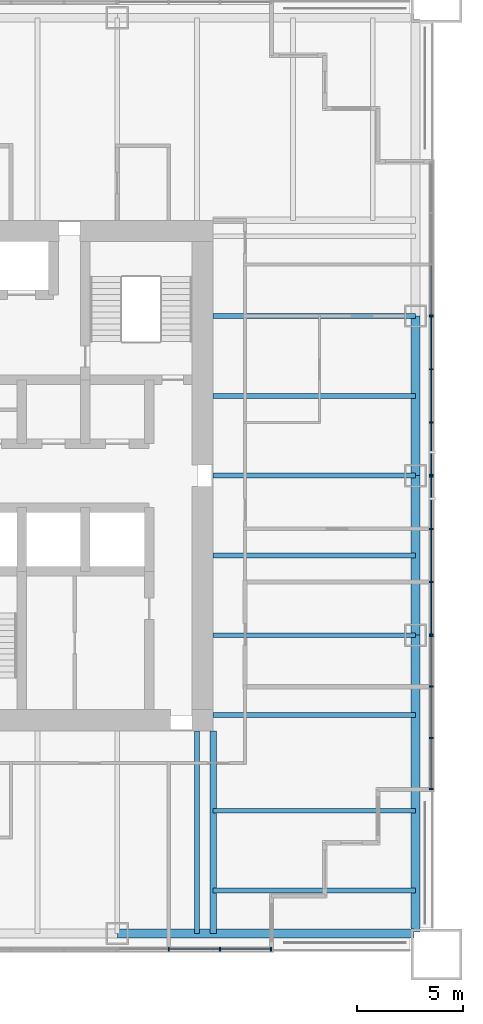
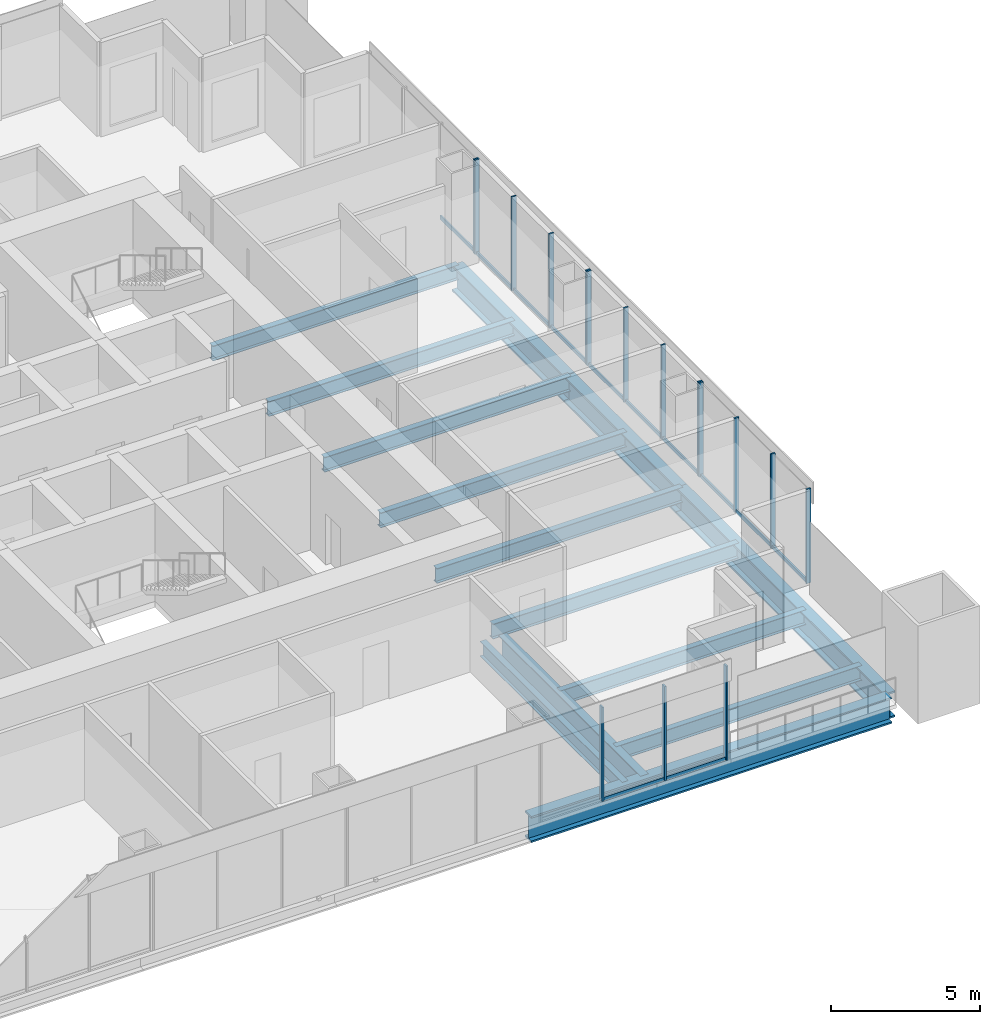
# One storey, part 4 of 13: 28 members, 14 beams, 5 elements without a shape of their own.
"""IFC4 building model written with IfcOpenShell, lengths in metres."""

from ifc_helpers import new_model, si_unit, direction, frame, origin, origin_2d, place, context, subcontext, project, spatial, rectangle, i_section, extrude, material, material_profile, profile_set, type_object, element, aggregate, save


model = new_model("IFC4")

# Units and contexts
model_context = context("Model", 3, precision=1e-05, world=origin(), true_north=direction((0.0, 1.0)))
body_context = subcontext(model_context, "Body", "Model", "MODEL_VIEW")
ifc_project = project(units=[si_unit("LENGTHUNIT", "METRE"), si_unit("AREAUNIT", "SQUARE_METRE"), si_unit("VOLUMEUNIT", "CUBIC_METRE"), si_unit("PLANEANGLEUNIT", "RADIAN"), si_unit("MASSUNIT", "GRAM", prefix="KILO")], contexts=[model_context])

# Site, building, storey
site_placement = place(None, origin())
site = spatial("IfcSite", under=ifc_project, at=site_placement, CompositionType="ELEMENT")
building_placement = place(site_placement, origin())
building = spatial("IfcBuilding", under=site, at=building_placement, Name="Tarangal Relay Tower", CompositionType="ELEMENT")
storey_placement = place(building_placement, frame((0.0, 0.0, 197.89990234375)))
storey = spatial("IfcBuildingStorey", under=building, at=storey_placement, Name="L41", CompositionType="ELEMENT", Elevation=197.89990234375)

# Beams
ifc_material_1 = material(Name="Steel ASTM A992", Category="steel")
ifc_material_profile_1 = material_profile(ifc_material_1, i_section(OverallWidth=0.227783203125, OverallDepth=0.60205078125, WebThickness=0.010498046875, FlangeThickness=0.014892578125, at=origin_2d()), Name="W24X68")
ifc_profile_set_1 = profile_set([ifc_material_profile_1], Name="Steel ASTM A992")
beam_type_1 = type_object("IfcBeamType", Name="Corner beam W24X68", PredefinedType="JOIST", material=ifc_profile_set_1)
for number, where, z_axis, x_axis, name in (
    (1, (12.0, -15.75, -0.450927734375), (1.0, 0.0, 0.0), (0.0, 1.0, 0.0), "Corner beam CB11 E L41"),
    (2, (12.0, -19.5, -0.450927734375), (1.0, 0.0, 0.0), (0.0, 1.0, 0.0), "Corner beam CB11 E L41"),
):
    element("IfcBeam", number, at=place(storey_placement, frame(where, z_axis=z_axis, x_axis=x_axis)), inside=storey, type_object=beam_type_1, Name=name, PredefinedType="JOIST", context=body_context, shape_type="SweptSolid", body=[
        extrude(i_section(OverallWidth=0.227783203125, OverallDepth=0.60205078125, WebThickness=0.010498046875, FlangeThickness=0.014892578125, at=origin_2d()), origin(), (0.0, 0.0, 1.0), 9.514892578125),
    ])
ifc_material_profile_2 = material_profile(ifc_material_1, i_section(OverallWidth=0.307373046875, OverallDepth=0.9423828125, WebThickness=0.022216796875, FlangeThickness=0.039794921875, at=origin_2d()), Name="W36X232")
ifc_profile_set_2 = profile_set([ifc_material_profile_2], Name="Steel ASTM A992")
beam_type_2 = type_object("IfcBeamType", Name="Corner girder W36X232", PredefinedType="BEAM", material=ifc_profile_set_2)
beam_placement = place(storey_placement, frame((12.0, -12.0, -0.62109375), z_axis=(0.0, -1.0, 0.0), x_axis=(1.0, 0.0, 0.0)))
element("IfcBeam", 3, at=beam_placement, inside=storey, type_object=beam_type_2, Name="Corner girder CG4 E L41", PredefinedType="BEAM", context=body_context, shape_type="SweptSolid", body=[
    extrude(i_section(OverallWidth=0.307373046875, OverallDepth=0.9423828125, WebThickness=0.022216796875, FlangeThickness=0.039794921875, at=origin_2d()), origin(), (0.0, 0.0, 1.0), 9.514892578125),
])
ifc_material_profile_3 = material_profile(ifc_material_1, i_section(OverallWidth=0.41650390625, OverallDepth=1.0693359375, WebThickness=0.0390625, FlangeThickness=0.070068359375, at=origin_2d()), Name="W40X503")
ifc_profile_set_3 = profile_set([ifc_material_profile_3], Name="Steel ASTM A992")
beam_type_3 = type_object("IfcBeamType", Name="Edge girder W40X503", PredefinedType="SPANDREL", material=ifc_profile_set_3)
for number, where, z_axis, x_axis, name in (
    (4, (21.514892578125, 7.5, -0.6845703125), (0.0, -1.0, 0.0), (1.0, 0.0, 0.0), "Edge girder EG8 E L41"),
    (5, (21.514892578125, 0.0, -0.6845703125), (0.0, -1.0, 0.0), (1.0, 0.0, 0.0), "Edge girder EG8 E L41"),
):
    element("IfcBeam", number, at=place(storey_placement, frame(where, z_axis=z_axis, x_axis=x_axis)), inside=storey, type_object=beam_type_3, Name=name, PredefinedType="SPANDREL", context=body_context, shape_type="SweptSolid", body=[
        extrude(i_section(OverallWidth=0.41650390625, OverallDepth=1.0693359375, WebThickness=0.0390625, FlangeThickness=0.070068359375, at=origin_2d()), origin(), (0.0, 0.0, 1.0), 7.5),
    ])
for number, where, z_axis, x_axis, name in (
    (6, (21.514892578125, -7.5, -0.6845703125), (0.0, -1.0, 0.0), (1.0, 0.0, 0.0), "Edge girder EG8 E L41"),
    (7, (21.449951171875, -21.514892578125, -0.6845703125), (-1.0, 0.0, 0.0), (0.0, -1.0, 0.0), "Edge girder EG8 S L41"),
):
    element("IfcBeam", number, at=place(storey_placement, frame(where, z_axis=z_axis, x_axis=x_axis)), inside=storey, type_object=beam_type_3, Name=name, PredefinedType="SPANDREL", context=body_context, shape_type="SweptSolid", body=[
        extrude(i_section(OverallWidth=0.41650390625, OverallDepth=1.0693359375, WebThickness=0.0390625, FlangeThickness=0.070068359375, at=origin_2d()), origin(), (0.0, 0.0, 1.0), 13.949951171875),
    ])
ifc_material_profile_4 = material_profile(ifc_material_1, i_section(OverallWidth=0.22900390625, OverallDepth=0.612060546875, WebThickness=0.011962890625, FlangeThickness=0.01953125, at=origin_2d()), Name="W24X84")
ifc_profile_set_4 = profile_set([ifc_material_profile_4], Name="Steel ASTM A992")
beam_type_4 = type_object("IfcBeamType", Name="Floor beam W24X84", PredefinedType="BEAM", material=ifc_profile_set_4)
for number, where, z_axis, x_axis, name in (
    (8, (12.0, 7.5, -0.455810546875), (1.0, 0.0, 0.0), (0.0, 1.0, 0.0), "Floor beam RB12 E L41"),
    (9, (12.0, 3.75, -0.455810546875), (1.0, 0.0, 0.0), (0.0, 1.0, 0.0), "Floor beam RB12 E L41"),
    (10, (12.0, 0.0, -0.455810546875), (1.0, 0.0, 0.0), (0.0, 1.0, 0.0), "Floor beam RB12 E L41"),
    (11, (12.0, -3.75, -0.455810546875), (1.0, 0.0, 0.0), (0.0, 1.0, 0.0), "Floor beam RB12 E L41"),
    (12, (12.0, -7.5, -0.455810546875), (1.0, 0.0, 0.0), (0.0, 1.0, 0.0), "Floor beam RB12 E L41"),
    (13, (12.0, -11.25, -0.455810546875), (1.0, 0.0, 0.0), (0.0, 1.0, 0.0), "Floor beam RB12 E L41"),
    (14, (11.25, -12.0, -0.455810546875), (0.0, -1.0, 0.0), (1.0, 0.0, 0.0), "Floor beam RB12 S L41"),
):
    element("IfcBeam", number, at=place(storey_placement, frame(where, z_axis=z_axis, x_axis=x_axis)), inside=storey, type_object=beam_type_4, Name=name, PredefinedType="BEAM", context=body_context, shape_type="SweptSolid", body=[
        extrude(i_section(OverallWidth=0.22900390625, OverallDepth=0.612060546875, WebThickness=0.011962890625, FlangeThickness=0.01953125, at=origin_2d()), origin(), (0.0, 0.0, 1.0), 9.514892578125),
    ])

# Curtain wall, member
ifc_material_2 = material(Name="Unitised curtain wall, dark glass and black aluminium", Category="aluminium")
curtain_wall_type_1 = type_object("IfcCurtainWallType", Name="Curtain wall CW-A", PredefinedType="USERDEFINED", material=ifc_material_2)
curtain_wall_1_placement = place(storey_placement, origin())
curtain_wall_1 = element("IfcCurtainWall", 15, at=curtain_wall_1_placement, inside=storey, type_object=curtain_wall_type_1, Name="Curtain wall CW-A E facade L41", ObjectType="UNITISED CURTAIN WALL", PredefinedType="USERDEFINED")
ifc_material_3 = material(Name="Black anodised aluminium mullion", Category="aluminium")
ifc_material_profile_5 = material_profile(ifc_material_3, rectangle(XDim=0.175048828125, YDim=0.06494140625, at=origin_2d()), Name="CW-AM 65X175")
ifc_profile_set_5 = profile_set([ifc_material_profile_5], Name="Black anodised aluminium mullion")
member_type_1 = type_object("IfcMemberType", Name="Mullion CW-A 65 x 175", PredefinedType="MULLION", material=ifc_profile_set_5)
member_1_placement = place(storey_placement, frame((22.25, 7.532470703125, 0.0), z_axis=(0.0, 0.0, 1.0), x_axis=(1.0, 0.0, 0.0)))
member_1 = element("IfcMember", 16, at=member_1_placement, type_object=member_type_1, Name="CW-A mullion 4", PredefinedType="MULLION", context=body_context, shape_type="SweptSolid", body=[
    extrude(rectangle(XDim=0.175048828125, YDim=0.06494140625, at=origin_2d()), origin(), (0.0, 0.0, 1.0), 3.85009765625),
])

# Curtain wall, members
curtain_wall_2_placement = place(storey_placement, origin())
curtain_wall_2 = element("IfcCurtainWall", 17, at=curtain_wall_2_placement, inside=storey, type_object=curtain_wall_type_1, Name="Curtain wall CW-A E facade L41", ObjectType="UNITISED CURTAIN WALL", PredefinedType="USERDEFINED")
member_2_placement = place(storey_placement, frame((22.25, -7.532470703125, 0.0), z_axis=(0.0, 0.0, 1.0), x_axis=(1.0, 0.0, 0.0)))
member_2 = element("IfcMember", 18, at=member_2_placement, type_object=member_type_1, Name="CW-A mullion 1", PredefinedType="MULLION", context=body_context, shape_type="SweptSolid", body=[
    extrude(rectangle(XDim=0.175048828125, YDim=0.06494140625, at=origin_2d()), origin(), (0.0, 0.0, 1.0), 3.85009765625),
])
member_3_placement = place(storey_placement, frame((22.25, -9.916748046875, 0.0), z_axis=(0.0, 0.0, 1.0), x_axis=(1.0, 0.0, 0.0)))
member_3 = element("IfcMember", 19, at=member_3_placement, type_object=member_type_1, Name="CW-A mullion 2", PredefinedType="MULLION", context=body_context, shape_type="SweptSolid", body=[
    extrude(rectangle(XDim=0.175048828125, YDim=0.06494140625, at=origin_2d()), origin(), (0.0, 0.0, 1.0), 3.85009765625),
])
member_4_placement = place(storey_placement, frame((22.25, -12.333251953125, 0.0), z_axis=(0.0, 0.0, 1.0), x_axis=(1.0, 0.0, 0.0)))
member_4 = element("IfcMember", 20, at=member_4_placement, type_object=member_type_1, Name="CW-A mullion 3", PredefinedType="MULLION", context=body_context, shape_type="SweptSolid", body=[
    extrude(rectangle(XDim=0.175048828125, YDim=0.06494140625, at=origin_2d()), origin(), (0.0, 0.0, 1.0), 3.85009765625),
])
member_5_placement = place(storey_placement, frame((22.25, -14.717529296875, 0.0), z_axis=(0.0, 0.0, 1.0), x_axis=(1.0, 0.0, 0.0)))
member_5 = element("IfcMember", 21, at=member_5_placement, type_object=member_type_1, Name="CW-A mullion 4", PredefinedType="MULLION", context=body_context, shape_type="SweptSolid", body=[
    extrude(rectangle(XDim=0.175048828125, YDim=0.06494140625, at=origin_2d()), origin(), (0.0, 0.0, 1.0), 3.85009765625),
])

curtain_wall_3_placement = place(storey_placement, origin())
curtain_wall_3 = element("IfcCurtainWall", 22, at=curtain_wall_3_placement, inside=storey, type_object=curtain_wall_type_1, Name="Curtain wall CW-A S facade L41", ObjectType="UNITISED CURTAIN WALL", PredefinedType="USERDEFINED")
member_6_placement = place(storey_placement, frame((14.717529296875, -22.25, 0.0), z_axis=(0.0, 0.0, 1.0), x_axis=(0.0, -1.0, 0.0)))
member_6 = element("IfcMember", 23, at=member_6_placement, type_object=member_type_1, Name="CW-A mullion 1", PredefinedType="MULLION", context=body_context, shape_type="SweptSolid", body=[
    extrude(rectangle(XDim=0.175048828125, YDim=0.06494140625, at=origin_2d()), origin(), (0.0, 0.0, 1.0), 3.85009765625),
])
member_7_placement = place(storey_placement, frame((12.333251953125, -22.25, 0.0), z_axis=(0.0, 0.0, 1.0), x_axis=(0.0, -1.0, 0.0)))
member_7 = element("IfcMember", 24, at=member_7_placement, type_object=member_type_1, Name="CW-A mullion 2", PredefinedType="MULLION", context=body_context, shape_type="SweptSolid", body=[
    extrude(rectangle(XDim=0.175048828125, YDim=0.06494140625, at=origin_2d()), origin(), (0.0, 0.0, 1.0), 3.85009765625),
])
member_8_placement = place(storey_placement, frame((9.916748046875, -22.25, 0.0), z_axis=(0.0, 0.0, 1.0), x_axis=(0.0, -1.0, 0.0)))
member_8 = element("IfcMember", 25, at=member_8_placement, type_object=member_type_1, Name="CW-A mullion 3", PredefinedType="MULLION", context=body_context, shape_type="SweptSolid", body=[
    extrude(rectangle(XDim=0.175048828125, YDim=0.06494140625, at=origin_2d()), origin(), (0.0, 0.0, 1.0), 3.85009765625),
])

ifc_material_4 = material(Name="Unitised curtain wall frame, black aluminium, with metal clad infill walls", Category="aluminium")
curtain_wall_type_2 = type_object("IfcCurtainWallType", Name="Curtain wall CW-AO", PredefinedType="USERDEFINED", material=ifc_material_4)
curtain_wall_4_placement = place(storey_placement, origin())
curtain_wall_4 = element("IfcCurtainWall", 26, at=curtain_wall_4_placement, inside=storey, type_object=curtain_wall_type_2, Name="Curtain wall CW-AO E facade L41", ObjectType="UNITISED CURTAIN WALL", PredefinedType="USERDEFINED")
ifc_material_profile_6 = material_profile(ifc_material_3, rectangle(XDim=0.175048828125, YDim=0.06494140625, at=origin_2d()), Name="CW-AOM 65X175")
ifc_profile_set_6 = profile_set([ifc_material_profile_6], Name="Black anodised aluminium mullion")
member_type_2 = type_object("IfcMemberType", Name="Mullion CW-AO 65 x 175", PredefinedType="MULLION", material=ifc_profile_set_6)
member_9_placement = place(storey_placement, frame((22.25, 7.467529296875, 0.0), z_axis=(0.0, 0.0, 1.0), x_axis=(1.0, 0.0, 0.0)))
member_9 = element("IfcMember", 27, at=member_9_placement, type_object=member_type_2, Name="CW-AO mullion 1", PredefinedType="MULLION", context=body_context, shape_type="SweptSolid", body=[
    extrude(rectangle(XDim=0.175048828125, YDim=0.06494140625, at=origin_2d()), origin(), (0.0, 0.0, 1.0), 3.85009765625),
])
member_10_placement = place(storey_placement, frame((22.25, 5.0, 0.0), z_axis=(0.0, 0.0, 1.0), x_axis=(1.0, 0.0, 0.0)))
member_10 = element("IfcMember", 28, at=member_10_placement, type_object=member_type_2, Name="CW-AO mullion 2", PredefinedType="MULLION", context=body_context, shape_type="SweptSolid", body=[
    extrude(rectangle(XDim=0.175048828125, YDim=0.06494140625, at=origin_2d()), origin(), (0.0, 0.0, 1.0), 3.85009765625),
])
member_11_placement = place(storey_placement, frame((22.25, 2.5, 0.0), z_axis=(0.0, 0.0, 1.0), x_axis=(1.0, 0.0, 0.0)))
member_11 = element("IfcMember", 29, at=member_11_placement, type_object=member_type_2, Name="CW-AO mullion 3", PredefinedType="MULLION", context=body_context, shape_type="SweptSolid", body=[
    extrude(rectangle(XDim=0.175048828125, YDim=0.06494140625, at=origin_2d()), origin(), (0.0, 0.0, 1.0), 3.85009765625),
])
member_12_placement = place(storey_placement, frame((22.25, 0.032470703125, 0.0), z_axis=(0.0, 0.0, 1.0), x_axis=(1.0, 0.0, 0.0)))
member_12 = element("IfcMember", 30, at=member_12_placement, type_object=member_type_2, Name="CW-AO mullion 4", PredefinedType="MULLION", context=body_context, shape_type="SweptSolid", body=[
    extrude(rectangle(XDim=0.175048828125, YDim=0.06494140625, at=origin_2d()), origin(), (0.0, 0.0, 1.0), 3.85009765625),
])

curtain_wall_5_placement = place(storey_placement, origin())
curtain_wall_5 = element("IfcCurtainWall", 31, at=curtain_wall_5_placement, inside=storey, type_object=curtain_wall_type_2, Name="Curtain wall CW-AO E facade L41", ObjectType="UNITISED CURTAIN WALL", PredefinedType="USERDEFINED")
member_13_placement = place(storey_placement, frame((22.25, -0.032470703125, 0.0), z_axis=(0.0, 0.0, 1.0), x_axis=(1.0, 0.0, 0.0)))
member_13 = element("IfcMember", 32, at=member_13_placement, type_object=member_type_2, Name="CW-AO mullion 1", PredefinedType="MULLION", context=body_context, shape_type="SweptSolid", body=[
    extrude(rectangle(XDim=0.175048828125, YDim=0.06494140625, at=origin_2d()), origin(), (0.0, 0.0, 1.0), 3.85009765625),
])
member_14_placement = place(storey_placement, frame((22.25, -2.5, 0.0), z_axis=(0.0, 0.0, 1.0), x_axis=(1.0, 0.0, 0.0)))
member_14 = element("IfcMember", 33, at=member_14_placement, type_object=member_type_2, Name="CW-AO mullion 2", PredefinedType="MULLION", context=body_context, shape_type="SweptSolid", body=[
    extrude(rectangle(XDim=0.175048828125, YDim=0.06494140625, at=origin_2d()), origin(), (0.0, 0.0, 1.0), 3.85009765625),
])
member_15_placement = place(storey_placement, frame((22.25, -5.0, 0.0), z_axis=(0.0, 0.0, 1.0), x_axis=(1.0, 0.0, 0.0)))
member_15 = element("IfcMember", 34, at=member_15_placement, type_object=member_type_2, Name="CW-AO mullion 3", PredefinedType="MULLION", context=body_context, shape_type="SweptSolid", body=[
    extrude(rectangle(XDim=0.175048828125, YDim=0.06494140625, at=origin_2d()), origin(), (0.0, 0.0, 1.0), 3.85009765625),
])
member_16_placement = place(storey_placement, frame((22.25, -7.467529296875, 0.0), z_axis=(0.0, 0.0, 1.0), x_axis=(1.0, 0.0, 0.0)))
member_16 = element("IfcMember", 35, at=member_16_placement, type_object=member_type_2, Name="CW-AO mullion 4", PredefinedType="MULLION", context=body_context, shape_type="SweptSolid", body=[
    extrude(rectangle(XDim=0.175048828125, YDim=0.06494140625, at=origin_2d()), origin(), (0.0, 0.0, 1.0), 3.85009765625),
])

# Member
ifc_material_5 = material(Name="Black anodised aluminium transom", Category="aluminium")
ifc_material_profile_7 = material_profile(ifc_material_5, rectangle(XDim=0.06494140625, YDim=0.14990234375, at=origin_2d()), Name="CW-AT 65X150")
ifc_profile_set_7 = profile_set([ifc_material_profile_7], Name="Black anodised aluminium transom")
member_type_3 = type_object("IfcMemberType", Name="Transom CW-A 65 x 150", PredefinedType="USERDEFINED", material=ifc_profile_set_7)
member_17_placement = place(storey_placement, frame((22.25, 9.88427734375, 0.03271484375), z_axis=(0.0, -1.0, 0.0), x_axis=(1.0, 0.0, 0.0)))
member_17 = element("IfcMember", 36, at=member_17_placement, type_object=member_type_3, Name="CW-A transom 3.1", ObjectType="TRANSOM", PredefinedType="USERDEFINED", context=body_context, shape_type="SweptSolid", body=[
    extrude(rectangle(XDim=0.06494140625, YDim=0.14990234375, at=origin_2d()), origin(), (0.0, 0.0, 1.0), 2.3193359375),
])

aggregate(curtain_wall_1, [member_1, member_17])

member_18_placement = place(storey_placement, frame((22.25, -7.56494140625, 0.03271484375), z_axis=(0.0, -1.0, 0.0), x_axis=(1.0, 0.0, 0.0)))
member_18 = element("IfcMember", 37, at=member_18_placement, type_object=member_type_3, Name="CW-A transom 1.1", ObjectType="TRANSOM", PredefinedType="USERDEFINED", context=body_context, shape_type="SweptSolid", body=[
    extrude(rectangle(XDim=0.06494140625, YDim=0.14990234375, at=origin_2d()), origin(), (0.0, 0.0, 1.0), 2.3193359375),
])

member_19_placement = place(storey_placement, frame((22.25, -9.94921875, 0.03271484375), z_axis=(0.0, -1.0, 0.0), x_axis=(1.0, 0.0, 0.0)))
member_19 = element("IfcMember", 38, at=member_19_placement, type_object=member_type_3, Name="CW-A transom 2.1", ObjectType="TRANSOM", PredefinedType="USERDEFINED", context=body_context, shape_type="SweptSolid", body=[
    extrude(rectangle(XDim=0.06494140625, YDim=0.14990234375, at=origin_2d()), origin(), (0.0, 0.0, 1.0), 2.3515625),
])

member_20_placement = place(storey_placement, frame((22.25, -12.36572265625, 0.03271484375), z_axis=(0.0, -1.0, 0.0), x_axis=(1.0, 0.0, 0.0)))
member_20 = element("IfcMember", 39, at=member_20_placement, type_object=member_type_3, Name="CW-A transom 3.1", ObjectType="TRANSOM", PredefinedType="USERDEFINED", context=body_context, shape_type="SweptSolid", body=[
    extrude(rectangle(XDim=0.06494140625, YDim=0.14990234375, at=origin_2d()), origin(), (0.0, 0.0, 1.0), 2.3193359375),
])

aggregate(curtain_wall_2, [member_2, member_3, member_4, member_5, member_18, member_19, member_20])

member_21_placement = place(storey_placement, frame((14.68505859375, -22.25, 0.03271484375), z_axis=(-1.0, 0.0, 0.0), x_axis=(0.0, -1.0, 0.0)))
member_21 = element("IfcMember", 40, at=member_21_placement, type_object=member_type_3, Name="CW-A transom 1.1", ObjectType="TRANSOM", PredefinedType="USERDEFINED", context=body_context, shape_type="SweptSolid", body=[
    extrude(rectangle(XDim=0.06494140625, YDim=0.14990234375, at=origin_2d()), origin(), (0.0, 0.0, 1.0), 2.3193359375),
])

member_22_placement = place(storey_placement, frame((12.30078125, -22.25, 0.03271484375), z_axis=(-1.0, 0.0, 0.0), x_axis=(0.0, -1.0, 0.0)))
member_22 = element("IfcMember", 41, at=member_22_placement, type_object=member_type_3, Name="CW-A transom 2.1", ObjectType="TRANSOM", PredefinedType="USERDEFINED", context=body_context, shape_type="SweptSolid", body=[
    extrude(rectangle(XDim=0.06494140625, YDim=0.14990234375, at=origin_2d()), origin(), (0.0, 0.0, 1.0), 2.3515625),
])

aggregate(curtain_wall_3, [member_6, member_7, member_8, member_21, member_22])

ifc_material_profile_8 = material_profile(ifc_material_5, rectangle(XDim=0.06494140625, YDim=0.14990234375, at=origin_2d()), Name="CW-AOT 65X150")
ifc_profile_set_8 = profile_set([ifc_material_profile_8], Name="Black anodised aluminium transom")
member_type_4 = type_object("IfcMemberType", Name="Transom CW-AO 65 x 150", PredefinedType="USERDEFINED", material=ifc_profile_set_8)
member_23_placement = place(storey_placement, frame((22.25, 7.43505859375, 0.03271484375), z_axis=(0.0, -1.0, 0.0), x_axis=(1.0, 0.0, 0.0)))
member_23 = element("IfcMember", 42, at=member_23_placement, type_object=member_type_4, Name="CW-AO transom 1.1", ObjectType="TRANSOM", PredefinedType="USERDEFINED", context=body_context, shape_type="SweptSolid", body=[
    extrude(rectangle(XDim=0.06494140625, YDim=0.14990234375, at=origin_2d()), origin(), (0.0, 0.0, 1.0), 2.402587890625),
])

member_24_placement = place(storey_placement, frame((22.25, 4.967529296875, 0.03271484375), z_axis=(0.0, -1.0, 0.0), x_axis=(1.0, 0.0, 0.0)))
member_24 = element("IfcMember", 43, at=member_24_placement, type_object=member_type_4, Name="CW-AO transom 2.1", ObjectType="TRANSOM", PredefinedType="USERDEFINED", context=body_context, shape_type="SweptSolid", body=[
    extrude(rectangle(XDim=0.06494140625, YDim=0.14990234375, at=origin_2d()), origin(), (0.0, 0.0, 1.0), 2.43505859375),
])

member_25_placement = place(storey_placement, frame((22.25, 2.467529296875, 0.03271484375), z_axis=(0.0, -1.0, 0.0), x_axis=(1.0, 0.0, 0.0)))
member_25 = element("IfcMember", 44, at=member_25_placement, type_object=member_type_4, Name="CW-AO transom 3.1", ObjectType="TRANSOM", PredefinedType="USERDEFINED", context=body_context, shape_type="SweptSolid", body=[
    extrude(rectangle(XDim=0.06494140625, YDim=0.14990234375, at=origin_2d()), origin(), (0.0, 0.0, 1.0), 2.402587890625),
])

aggregate(curtain_wall_4, [member_9, member_10, member_11, member_12, member_23, member_24, member_25])

member_26_placement = place(storey_placement, frame((22.25, -0.06494140625, 0.03271484375), z_axis=(0.0, -1.0, 0.0), x_axis=(1.0, 0.0, 0.0)))
member_26 = element("IfcMember", 45, at=member_26_placement, type_object=member_type_4, Name="CW-AO transom 1.1", ObjectType="TRANSOM", PredefinedType="USERDEFINED", context=body_context, shape_type="SweptSolid", body=[
    extrude(rectangle(XDim=0.06494140625, YDim=0.14990234375, at=origin_2d()), origin(), (0.0, 0.0, 1.0), 2.402587890625),
])

member_27_placement = place(storey_placement, frame((22.25, -2.532470703125, 0.03271484375), z_axis=(0.0, -1.0, 0.0), x_axis=(1.0, 0.0, 0.0)))
member_27 = element("IfcMember", 46, at=member_27_placement, type_object=member_type_4, Name="CW-AO transom 2.1", ObjectType="TRANSOM", PredefinedType="USERDEFINED", context=body_context, shape_type="SweptSolid", body=[
    extrude(rectangle(XDim=0.06494140625, YDim=0.14990234375, at=origin_2d()), origin(), (0.0, 0.0, 1.0), 2.43505859375),
])

member_28_placement = place(storey_placement, frame((22.25, -5.032470703125, 0.03271484375), z_axis=(0.0, -1.0, 0.0), x_axis=(1.0, 0.0, 0.0)))
member_28 = element("IfcMember", 47, at=member_28_placement, type_object=member_type_4, Name="CW-AO transom 3.1", ObjectType="TRANSOM", PredefinedType="USERDEFINED", context=body_context, shape_type="SweptSolid", body=[
    extrude(rectangle(XDim=0.06494140625, YDim=0.14990234375, at=origin_2d()), origin(), (0.0, 0.0, 1.0), 2.402587890625),
])

aggregate(curtain_wall_5, [member_13, member_14, member_15, member_16, member_26, member_27, member_28])

save(model, "model.ifc")
